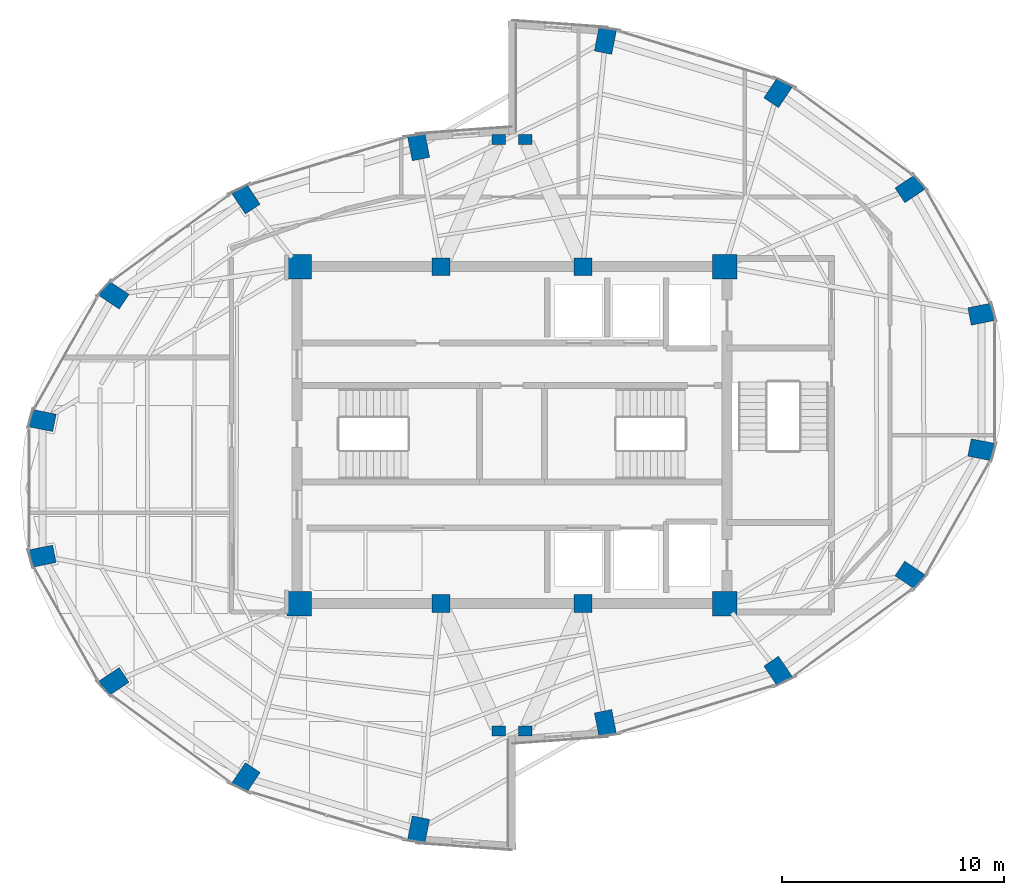
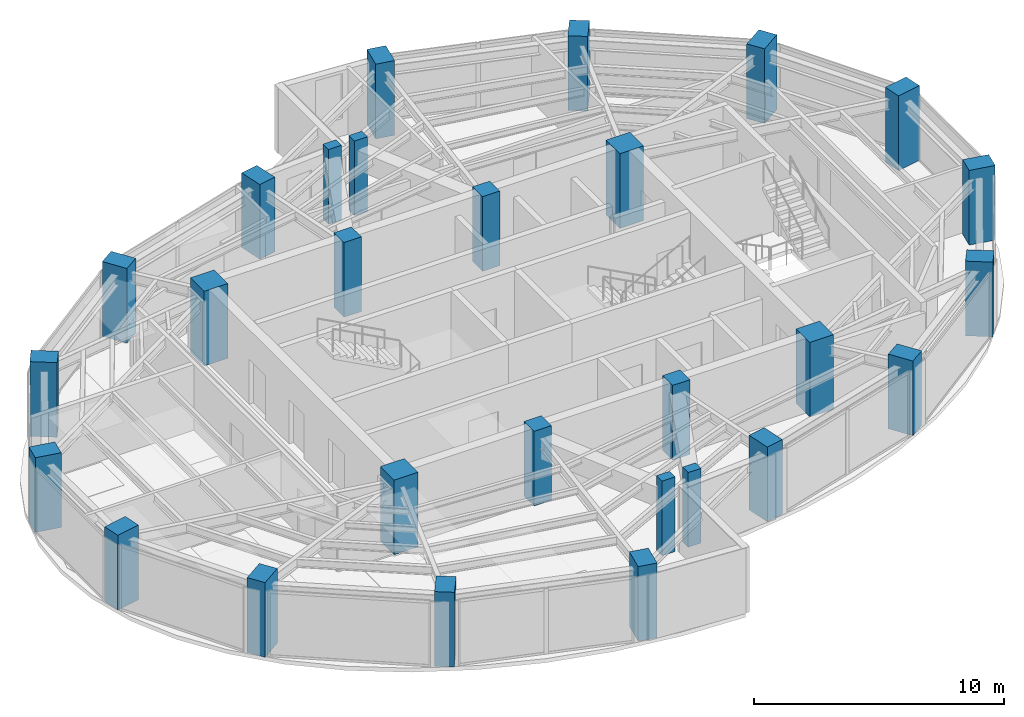
# One storey, part 1 of 22: 28 columns.
"""IFC4 building model written with IfcOpenShell, lengths in metres."""

from ifc_helpers import new_model, si_unit, direction, frame, origin, origin_2d, place, context, subcontext, project, spatial, rectangle, extrude, material, material_profile, profile_set, type_object, element, save


model = new_model("IFC4")

# Units and contexts
model_context = context("Model", 3, precision=1e-05, world=origin(), true_north=direction((0.0, 1.0)))
body_context = subcontext(model_context, "Body", "Model", "MODEL_VIEW")
ifc_project = project(units=[si_unit("LENGTHUNIT", "METRE"), si_unit("AREAUNIT", "SQUARE_METRE"), si_unit("VOLUMEUNIT", "CUBIC_METRE"), si_unit("PLANEANGLEUNIT", "RADIAN"), si_unit("MASSUNIT", "GRAM", prefix="KILO")], contexts=[model_context])

# Site, building, storey
site_placement = place(None, origin())
site = spatial("IfcSite", under=ifc_project, at=site_placement, CompositionType="ELEMENT")
building_placement = place(site_placement, origin())
building = spatial("IfcBuilding", under=site, at=building_placement, Name="Lazwardi Medical Tower", CompositionType="ELEMENT")
storey_placement = place(building_placement, frame((0.0, 0.0, 242.256103515625)))
storey = spatial("IfcBuildingStorey", under=building, at=storey_placement, Name="L63", CompositionType="ELEMENT", Elevation=242.256103515625)

# Columns
ifc_material_1 = material(Name="Concrete C80/95", Category="concrete")
ifc_material_profile_1 = material_profile(ifc_material_1, rectangle(XDim=1.10009765625, YDim=1.10009765625, at=origin_2d()), Name="RC 1100x1100")
ifc_profile_set_1 = profile_set([ifc_material_profile_1], Name="Concrete C80/95")
column_type_1 = type_object("IfcColumnType", Name="COL-CC-L", PredefinedType="COLUMN", material=ifc_profile_set_1)
for number, where, z_axis, x_axis, name in (
    (1, (26.39990234375, 20.39990234375, 0.0), (0.0, 0.0, 1.0), (1.0, 0.0, 0.0), "Core column CC-01 CC1 L63"),
    (2, (45.60009765625, 20.39990234375, 0.0), (0.0, 0.0, 1.0), (1.0, 0.0, 0.0), "Core column CC-01 CC4 L63"),
    (3, (45.60009765625, 35.60009765625, 0.0), (0.0, 0.0, 1.0), (1.0, 0.0, 0.0), "Core column CC-01 CC5 L63"),
    (4, (26.39990234375, 35.60009765625, 0.0), (0.0, 0.0, 1.0), (1.0, 0.0, 0.0), "Core column CC-01 CC8 L63"),
):
    element("IfcColumn", number, at=place(storey_placement, frame(where, z_axis=z_axis, x_axis=x_axis)), inside=storey, type_object=column_type_1, Name=name, PredefinedType="COLUMN", context=body_context, shape_type="SweptSolid", body=[
        extrude(rectangle(XDim=1.10009765625, YDim=1.10009765625, at=origin_2d()), origin(), (0.0, 0.0, 1.0), 3.64794921875),
    ])
ifc_material_2 = material(Name="Concrete C60/75", Category="concrete")
ifc_material_profile_2 = material_profile(ifc_material_2, rectangle(XDim=0.800048828125, YDim=0.800048828125, at=origin_2d()), Name="RC 800x800")
ifc_profile_set_2 = profile_set([ifc_material_profile_2], Name="Concrete C60/75")
column_type_2 = type_object("IfcColumnType", Name="COL-CC-U", PredefinedType="COLUMN", material=ifc_profile_set_2)
for number, where, z_axis, x_axis, name in (
    (5, (32.800048828125, 20.39990234375, 0.0), (0.0, 0.0, 1.0), (1.0, 0.0, 0.0), "Core column CC-03 CC2 L63"),
    (6, (39.199951171875, 20.39990234375, 0.0), (0.0, 0.0, 1.0), (1.0, 0.0, 0.0), "Core column CC-03 CC3 L63"),
    (7, (39.199951171875, 35.60009765625, 0.0), (0.0, 0.0, 1.0), (1.0, 0.0, 0.0), "Core column CC-03 CC6 L63"),
    (8, (32.800048828125, 35.60009765625, 0.0), (0.0, 0.0, 1.0), (1.0, 0.0, 0.0), "Core column CC-03 CC7 L63"),
):
    element("IfcColumn", number, at=place(storey_placement, frame(where, z_axis=z_axis, x_axis=x_axis)), inside=storey, type_object=column_type_2, Name=name, PredefinedType="COLUMN", context=body_context, shape_type="SweptSolid", body=[
        extrude(rectangle(XDim=0.800048828125, YDim=0.800048828125, at=origin_2d()), origin(), (0.0, 0.0, 1.0), 3.64794921875),
    ])
ifc_material_profile_3 = material_profile(ifc_material_2, rectangle(XDim=1.10009765625, YDim=0.800048828125, at=origin_2d()), Name="CFT-RECT 1100x800")
ifc_profile_set_3 = profile_set([ifc_material_profile_3], Name="Concrete C60/75")
column_type_3 = type_object("IfcColumnType", Name="COL-MC-Z4", PredefinedType="COLUMN", material=ifc_profile_set_3)
for number, where, z_axis, x_axis, name in (
    (9, (40.214111328125, 15.001708984375, 0.0), (0.0, 0.0, 1.0), (0.195090322016, -0.980785280403, 0.0), "Mega column MC-06 M01 L63"),
    (10, (48.000244140625, 17.345947265625, 0.0), (0.0, 0.0, 1.0), (0.55557023302, -0.831469612303, 0.0), "Mega column MC-06 M02 L63"),
    (11, (53.959716796875, 21.677490234375, 0.0), (0.0, 0.0, 1.0), (0.831469612303, -0.55557023302, 0.0), "Mega column MC-06 M03 L63"),
    (12, (57.18505859375, 27.337158203125, 0.0), (0.0, 0.0, 1.0), (0.980785280403, -0.195090322016, 0.0), "Mega column MC-06 M04 L63"),
    (13, (57.18505859375, 33.462890625, 0.0), (0.0, 0.0, 1.0), (0.980785280403, 0.195090322016, 0.0), "Mega column MC-06 M05 L63"),
    (14, (53.959716796875, 39.12255859375, 0.0), (0.0, 0.0, 1.0), (0.831469612303, 0.55557023302, 0.0), "Mega column MC-06 M06 L63"),
    (15, (48.000244140625, 43.4541015625, 0.0), (0.0, 0.0, 1.0), (0.55557023302, 0.831469612303, 0.0), "Mega column MC-06 M07 L63"),
    (16, (40.214111328125, 45.79833984375, 0.0), (0.0, 0.0, 1.0), (0.195090322016, 0.980785280403, 0.0), "Mega column MC-06 M08 L63"),
    (17, (31.785888671875, 40.998291015625, 0.0), (0.0, 0.0, 1.0), (-0.195090322016, 0.980785280403, 0.0), "Mega column MC-06 M09 L63"),
    (18, (23.999755859375, 38.654052734375, 0.0), (0.0, 0.0, 1.0), (-0.55557023302, 0.831469612303, 0.0), "Mega column MC-06 M10 L63"),
    (19, (18.040283203125, 34.322509765625, 0.0), (0.0, 0.0, 1.0), (-0.831469612303, 0.55557023302, 0.0), "Mega column MC-06 M11 L63"),
    (20, (14.81494140625, 28.662841796875, 0.0), (0.0, 0.0, 1.0), (-0.980785280403, 0.195090322016, 0.0), "Mega column MC-06 M12 L63"),
    (21, (14.81494140625, 22.537109375, 0.0), (0.0, 0.0, 1.0), (-0.980785280403, -0.195090322016, 0.0), "Mega column MC-06 M13 L63"),
    (22, (18.040283203125, 16.87744140625, 0.0), (0.0, 0.0, 1.0), (-0.831469612303, -0.55557023302, 0.0), "Mega column MC-06 M14 L63"),
    (23, (23.999755859375, 12.5458984375, 0.0), (0.0, 0.0, 1.0), (-0.55557023302, -0.831469612303, 0.0), "Mega column MC-06 M15 L63"),
    (24, (31.785888671875, 10.20166015625, 0.0), (0.0, 0.0, 1.0), (-0.195090322016, -0.980785280403, 0.0), "Mega column MC-06 M16 L63"),
):
    element("IfcColumn", number, at=place(storey_placement, frame(where, z_axis=z_axis, x_axis=x_axis)), inside=storey, type_object=column_type_3, Name=name, PredefinedType="COLUMN", context=body_context, shape_type="SweptSolid", body=[
        extrude(rectangle(XDim=1.10009765625, YDim=0.800048828125, at=origin_2d()), origin(), (0.0, 0.0, 1.0), 3.64794921875),
    ])
ifc_material_profile_4 = material_profile(ifc_material_2, rectangle(XDim=0.60009765625, YDim=0.449951171875, at=origin_2d()), Name="RC 600x450")
ifc_profile_set_4 = profile_set([ifc_material_profile_4], Name="Concrete C60/75")
column_type_4 = type_object("IfcColumnType", Name="COL-PL-IW", PredefinedType="PILASTER", material=ifc_profile_set_4)
for number, where, z_axis, x_axis, name in (
    (25, (35.39990234375, 41.35009765625, 0.0), (0.0, 0.0, 1.0), (1.0, 0.0, 0.0), "Iwan pilaster column PL-C1 PL1 L63"),
    (26, (36.60009765625, 41.35009765625, 0.0), (0.0, 0.0, 1.0), (1.0, 0.0, 0.0), "Iwan pilaster column PL-C1 PL2 L63"),
    (27, (35.39990234375, 14.64990234375, 0.0), (0.0, 0.0, 1.0), (1.0, 0.0, 0.0), "Iwan pilaster column PL-C1 PL3 L63"),
    (28, (36.60009765625, 14.64990234375, 0.0), (0.0, 0.0, 1.0), (1.0, 0.0, 0.0), "Iwan pilaster column PL-C1 PL4 L63"),
):
    element("IfcColumn", number, at=place(storey_placement, frame(where, z_axis=z_axis, x_axis=x_axis)), inside=storey, type_object=column_type_4, Name=name, PredefinedType="PILASTER", context=body_context, shape_type="SweptSolid", body=[
        extrude(rectangle(XDim=0.60009765625, YDim=0.449951171875, at=origin_2d()), origin(), (0.0, 0.0, 1.0), 3.64794921875),
    ])

save(model, "model.ifc")
